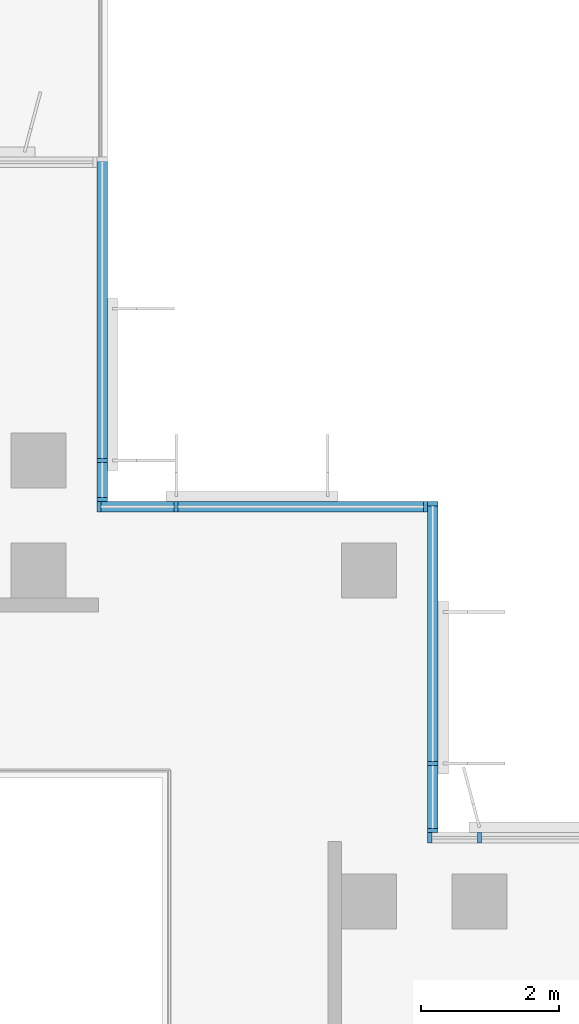
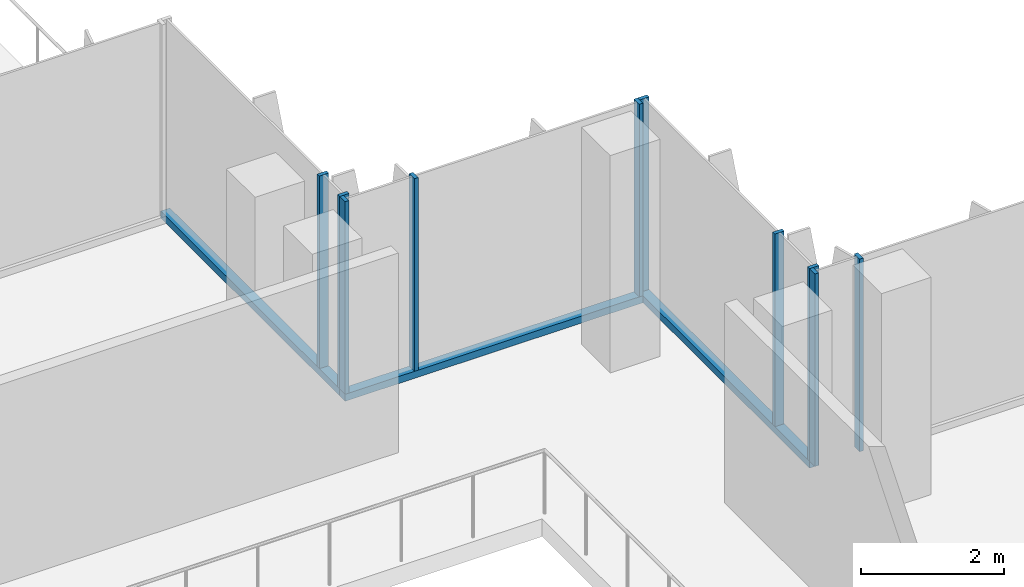
# One storey, part 2 of 15: 13 members, 4 elements without a shape of their own.
"""IFC4 building model written with IfcOpenShell, lengths in metres."""

from ifc_helpers import new_model, si_unit, direction, frame, origin, origin_2d, place, context, subcontext, project, spatial, rectangle, extrude, source, transform, mapped, material, material_profile, profile_set, type_object, element, aggregate, save


model = new_model("IFC4")

# Units and contexts
model_context = context("Model", 3, precision=1e-05, world=origin(), true_north=direction((0.0, 1.0)))
body_context = subcontext(model_context, "Body", "Model", "MODEL_VIEW")
ifc_project = project(units=[si_unit("LENGTHUNIT", "METRE"), si_unit("AREAUNIT", "SQUARE_METRE"), si_unit("VOLUMEUNIT", "CUBIC_METRE"), si_unit("PLANEANGLEUNIT", "RADIAN"), si_unit("MASSUNIT", "GRAM", prefix="KILO")], contexts=[model_context])

# Site, building, storey
site_placement = place(None, origin())
site = spatial("IfcSite", under=ifc_project, at=site_placement, CompositionType="ELEMENT")
building_placement = place(site_placement, origin())
building = spatial("IfcBuilding", under=site, at=building_placement, Name="Kemantara Hotel Tower", CompositionType="ELEMENT")
storey_placement = place(building_placement, frame((0.0, 0.0, 241.300048828125)))
storey = spatial("IfcBuildingStorey", under=building, at=storey_placement, Name="L60", CompositionType="ELEMENT", Elevation=241.300048828125)

# Curtain wall, member
ifc_material_1 = material(Name="Low-E tinted double insulated glass 36 mm", Category="glass")
curtain_wall_type = type_object("IfcCurtainWallType", Name="TOWER CURTAIN WALL, FRONT FACES", PredefinedType="USERDEFINED", material=ifc_material_1)
curtain_wall_1_placement = place(storey_placement, origin())
curtain_wall_1 = element("IfcCurtainWall", 1, at=curtain_wall_1_placement, inside=storey, type_object=curtain_wall_type, Name="CW4 L60 T4P-R00-1", ObjectType="TOWER CURTAIN WALL, FRONT FACES", PredefinedType="USERDEFINED")
ifc_material_2 = material(Name="Aluminium 6063-T6 bronze anodised", Category="aluminium")
ifc_material_profile_1 = material_profile(ifc_material_2, rectangle(XDim=0.14990234375, YDim=0.1201171875, at=origin_2d()), Name="TOWER CURTAIN WALL, FRONT FACES TRANSOM")
ifc_profile_set_1 = profile_set([ifc_material_profile_1], Name="Aluminium 6063-T6 bronze anodised")
member_type_1 = type_object("IfcMemberType", Name="TOWER CURTAIN WALL, FRONT FACES TRANSOM", PredefinedType="USERDEFINED", material=ifc_profile_set_1)
member_1_placement = place(storey_placement, frame((21.925048828125, 26.800048828125, 0.06005859375), z_axis=(0.0, 1.0, 0.0), x_axis=(-1.0, 0.0, 0.0)))
member_1 = element("IfcMember", 2, at=member_1_placement, type_object=member_type_1, Name="CW4 sill transom T4P-R00-1", ObjectType="TRANSOM", PredefinedType="USERDEFINED", context=body_context, shape_type="SweptSolid", body=[
    extrude(rectangle(XDim=0.14990234375, YDim=0.1201171875, at=origin_2d()), origin(), (0.0, 0.0, 1.0), 5.0),
])

curtain_wall_2_placement = place(storey_placement, origin())
curtain_wall_2 = element("IfcCurtainWall", 3, at=curtain_wall_2_placement, inside=storey, type_object=curtain_wall_type, Name="CW4 L60 T4P-R10-1", ObjectType="TOWER CURTAIN WALL, FRONT FACES", PredefinedType="USERDEFINED")
member_2_placement = place(storey_placement, frame((26.72509765625, 22.0, 0.06005859375), z_axis=(0.0, 1.0, 0.0), x_axis=(-1.0, 0.0, 0.0)))
member_2 = element("IfcMember", 4, at=member_2_placement, type_object=member_type_1, Name="CW4 sill transom T4P-R10-1", ObjectType="TRANSOM", PredefinedType="USERDEFINED", context=body_context, shape_type="SweptSolid", body=[
    extrude(rectangle(XDim=0.14990234375, YDim=0.1201171875, at=origin_2d()), origin(), (0.0, 0.0, 1.0), 4.800048828125),
])

curtain_wall_3_placement = place(storey_placement, origin())
curtain_wall_3 = element("IfcCurtainWall", 5, at=curtain_wall_3_placement, inside=storey, type_object=curtain_wall_type, Name="CW4 L60 T4P-R11-1", ObjectType="TOWER CURTAIN WALL, FRONT FACES", PredefinedType="USERDEFINED")
member_3_placement = place(storey_placement, frame((26.64990234375, 26.72509765625, 0.06005859375), z_axis=(-1.0, 0.0, 0.0), x_axis=(0.0, -1.0, 0.0)))
member_3 = element("IfcMember", 6, at=member_3_placement, type_object=member_type_1, Name="CW4 sill transom T4P-R11-1", ObjectType="TRANSOM", PredefinedType="USERDEFINED", context=body_context, shape_type="SweptSolid", body=[
    extrude(rectangle(XDim=0.14990234375, YDim=0.1201171875, at=origin_2d()), origin(), (0.0, 0.0, 1.0), 4.7998046875),
])

# Member
ifc_material_profile_2 = material_profile(ifc_material_2, rectangle(XDim=0.14990234375, YDim=0.06005859375, at=origin_2d()), Name="TOWER CURTAIN WALL, FRONT FACES MULLION")
ifc_profile_set_2 = profile_set([ifc_material_profile_2], Name="Aluminium 6063-T6 bronze anodised")
member_type_2 = type_object("IfcMemberType", Name="TOWER CURTAIN WALL, FRONT FACES MULLION", PredefinedType="MULLION", material=ifc_profile_set_2)
shared_shape = source(origin(), body_context, "Body", "SweptSolid", [
    extrude(rectangle(XDim=0.14990234375, YDim=0.06005859375, at=origin_2d()), origin(), (0.0, 0.0, 1.0), 3.280029296875),
])
member_4_placement = place(storey_placement, frame((21.925048828125, 26.830078125, 0.119873046875), z_axis=(0.0, 0.0, 1.0), x_axis=(-1.0, 0.0, 0.0)))
member_4 = element("IfcMember", 7, at=member_4_placement, type_object=member_type_2, Name="CW4 mullion T4P-R00-1.1", PredefinedType="MULLION", context=body_context, shape_type="MappedRepresentation", body=[
    mapped(shared_shape, transform((0.0, 0.0, 0.0))),
])

member_5_placement = place(storey_placement, frame((21.925048828125, 27.39990234375, 0.119873046875), z_axis=(0.0, 0.0, 1.0), x_axis=(-1.0, 0.0, 0.0)))
member_5 = element("IfcMember", 8, at=member_5_placement, type_object=member_type_2, Name="CW4 mullion T4P-R00-1.2", PredefinedType="MULLION", context=body_context, shape_type="MappedRepresentation", body=[
    mapped(shared_shape, transform((0.0, 0.0, 0.0))),
])

aggregate(curtain_wall_1, [member_1, member_4, member_5])

# Curtain wall, members
curtain_wall_4_placement = place(storey_placement, origin())
curtain_wall_4 = element("IfcCurtainWall", 9, at=curtain_wall_4_placement, inside=storey, type_object=curtain_wall_type, Name="CW4 L60 T4P-R09-1", ObjectType="TOWER CURTAIN WALL, FRONT FACES", PredefinedType="USERDEFINED")
member_6_placement = place(storey_placement, frame((27.39990234375, 21.925048828125, 0.119873046875), z_axis=(0.0, 0.0, 1.0), x_axis=(0.0, -1.0, 0.0)))
member_6 = element("IfcMember", 10, at=member_6_placement, type_object=member_type_2, Name="CW4 mullion T4P-R09-1.5", PredefinedType="MULLION", context=body_context, shape_type="MappedRepresentation", body=[
    mapped(shared_shape, transform((0.0, 0.0, 0.0))),
])
member_7_placement = place(storey_placement, frame((26.679931640625, 21.925048828125, 0.119873046875), z_axis=(0.0, 0.0, 1.0), x_axis=(0.0, -1.0, 0.0)))
member_7 = element("IfcMember", 11, at=member_7_placement, type_object=member_type_2, Name="CW4 mullion T4P-R09-1.6", PredefinedType="MULLION", context=body_context, shape_type="MappedRepresentation", body=[
    mapped(shared_shape, transform((0.0, 0.0, 0.0))),
])
aggregate(curtain_wall_4, [member_6, member_7])

# Member
member_8_placement = place(storey_placement, frame((26.72509765625, 22.030029296875, 0.119873046875), z_axis=(0.0, 0.0, 1.0), x_axis=(-1.0, 0.0, 0.0)))
member_8 = element("IfcMember", 12, at=member_8_placement, type_object=member_type_2, Name="CW4 mullion T4P-R10-1.1", PredefinedType="MULLION", context=body_context, shape_type="MappedRepresentation", body=[
    mapped(shared_shape, transform((0.0, 0.0, 0.0))),
])

member_9_placement = place(storey_placement, frame((26.72509765625, 23.0, 0.119873046875), z_axis=(0.0, 0.0, 1.0), x_axis=(-1.0, 0.0, 0.0)))
member_9 = element("IfcMember", 13, at=member_9_placement, type_object=member_type_2, Name="CW4 mullion T4P-R10-1.2", PredefinedType="MULLION", context=body_context, shape_type="MappedRepresentation", body=[
    mapped(shared_shape, transform((0.0, 0.0, 0.0))),
])

member_10_placement = place(storey_placement, frame((26.72509765625, 26.77001953125, 0.119873046875), z_axis=(0.0, 0.0, 1.0), x_axis=(-1.0, 0.0, 0.0)))
member_10 = element("IfcMember", 14, at=member_10_placement, type_object=member_type_2, Name="CW4 mullion T4P-R10-1.3", PredefinedType="MULLION", context=body_context, shape_type="MappedRepresentation", body=[
    mapped(shared_shape, transform((0.0, 0.0, 0.0))),
])

aggregate(curtain_wall_2, [member_2, member_8, member_9, member_10])

member_11_placement = place(storey_placement, frame((26.6201171875, 26.72509765625, 0.119873046875), z_axis=(0.0, 0.0, 1.0), x_axis=(0.0, -1.0, 0.0)))
member_11 = element("IfcMember", 15, at=member_11_placement, type_object=member_type_2, Name="CW4 mullion T4P-R11-1.1", PredefinedType="MULLION", context=body_context, shape_type="MappedRepresentation", body=[
    mapped(shared_shape, transform((0.0, 0.0, 0.0))),
])

member_12_placement = place(storey_placement, frame((23.0, 26.72509765625, 0.119873046875), z_axis=(0.0, 0.0, 1.0), x_axis=(0.0, -1.0, 0.0)))
member_12 = element("IfcMember", 16, at=member_12_placement, type_object=member_type_2, Name="CW4 mullion T4P-R11-1.2", PredefinedType="MULLION", context=body_context, shape_type="MappedRepresentation", body=[
    mapped(shared_shape, transform((0.0, 0.0, 0.0))),
])

member_13_placement = place(storey_placement, frame((21.8798828125, 26.72509765625, 0.119873046875), z_axis=(0.0, 0.0, 1.0), x_axis=(0.0, -1.0, 0.0)))
member_13 = element("IfcMember", 17, at=member_13_placement, type_object=member_type_2, Name="CW4 mullion T4P-R11-1.3", PredefinedType="MULLION", context=body_context, shape_type="MappedRepresentation", body=[
    mapped(shared_shape, transform((0.0, 0.0, 0.0))),
])

aggregate(curtain_wall_3, [member_3, member_11, member_12, member_13])

save(model, "model.ifc")
